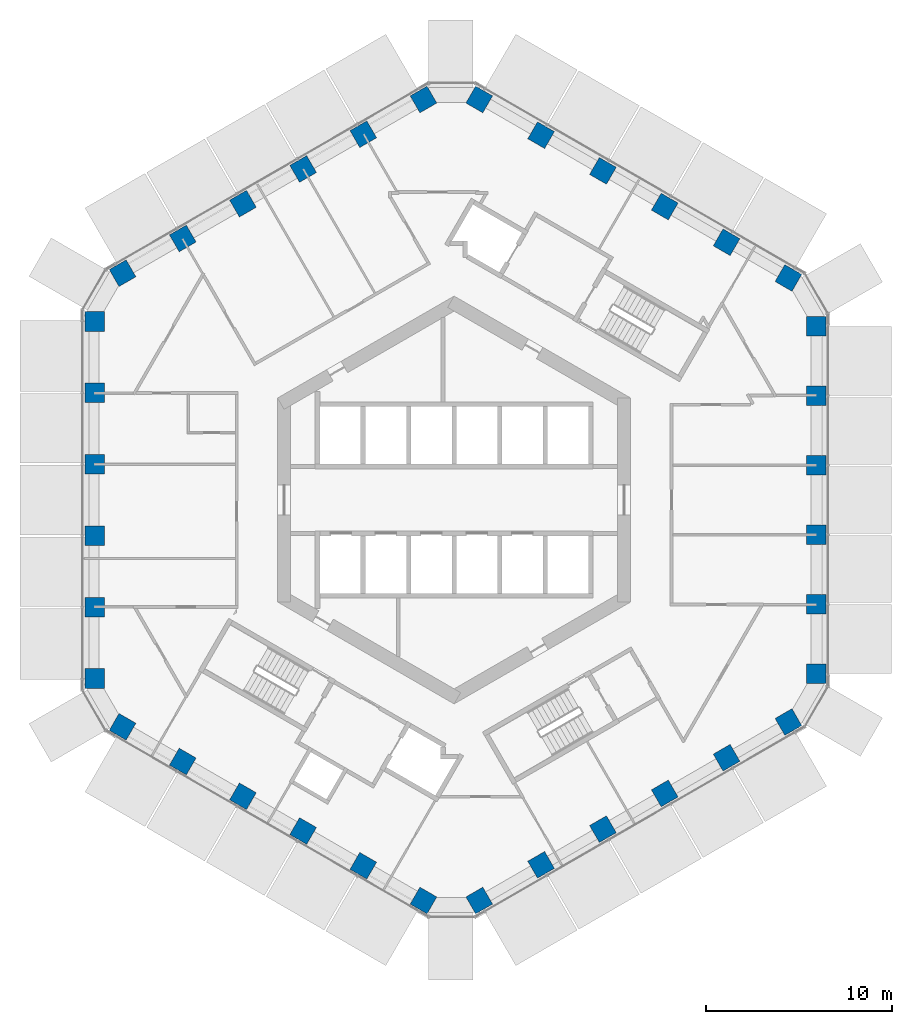
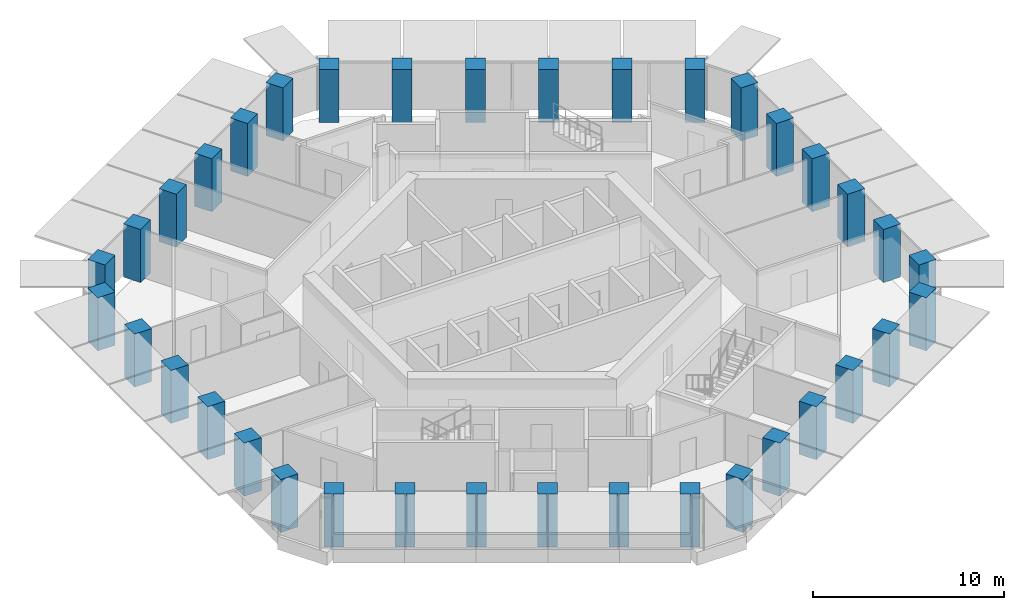
# One storey, part 1 of 18: 36 columns.
"""IFC4 building model written with IfcOpenShell, lengths in metres."""

from ifc_helpers import new_model, si_unit, direction, frame, origin, origin_2d, place, context, subcontext, project, spatial, rectangle, extrude, material, material_profile, profile_set, type_object, element, save


model = new_model("IFC4")

# Units and contexts
model_context = context("Model", 3, precision=1e-05, world=origin(), true_north=direction((0.0, 1.0)))
body_context = subcontext(model_context, "Body", "Model", "MODEL_VIEW")
ifc_project = project(units=[si_unit("LENGTHUNIT", "METRE"), si_unit("AREAUNIT", "SQUARE_METRE"), si_unit("VOLUMEUNIT", "CUBIC_METRE"), si_unit("PLANEANGLEUNIT", "RADIAN"), si_unit("MASSUNIT", "GRAM", prefix="KILO")], contexts=[model_context])

# Site, building, storey
site_placement = place(None, origin())
site = spatial("IfcSite", under=ifc_project, at=site_placement, CompositionType="ELEMENT")
building_placement = place(site_placement, origin())
building = spatial("IfcBuilding", under=site, at=building_placement, Name="Ayvan Gate Tower", CompositionType="ELEMENT")
storey_placement = place(building_placement, frame((0.0, 0.0, 89.89990234375)))
storey = spatial("IfcBuildingStorey", under=building, at=storey_placement, Name="L23", CompositionType="ELEMENT", Elevation=89.89990234375)

# Columns
ifc_material = material(Name="Concrete C60/75", Category="concrete")
ifc_material_profile = material_profile(ifc_material, rectangle(XDim=1.050048828125, YDim=1.050048828125, at=origin_2d()), Name="RC 1050x1050")
ifc_profile_set = profile_set([ifc_material_profile], Name="Concrete C60/75")
column_type = type_object("IfcColumnType", Name="Tube column RC 1050x1050 C60/75", PredefinedType="COLUMN", material=ifc_profile_set)
for number, where, z_axis, x_axis, name in (
    (1, (19.485595703125, -9.3466796875, 0.0), (0.0, 0.0, 1.0), (1.0, 0.0, 0.0), "C-T0-0-L23"),
    (2, (19.485595703125, -5.60791015625, 0.0), (0.0, 0.0, 1.0), (1.0, 0.0, 0.0), "C-T0-1-L23"),
    (3, (19.485595703125, -1.869384765625, 0.0), (0.0, 0.0, 1.0), (1.0, 0.0, 0.0), "C-T0-2-L23"),
    (4, (19.485595703125, 1.869384765625, 0.0), (0.0, 0.0, 1.0), (1.0, 0.0, 0.0), "C-T0-3-L23"),
    (5, (19.485595703125, 5.60791015625, 0.0), (0.0, 0.0, 1.0), (1.0, 0.0, 0.0), "C-T0-4-L23"),
    (6, (19.485595703125, 9.3466796875, 0.0), (0.0, 0.0, 1.0), (1.0, 0.0, 0.0), "C-T0-5-L23"),
    (7, (17.985595703125, 11.94482421875, 0.0), (0.0, 0.0, 1.0), (0.5, 0.866025403784, 0.0), "C-T1-0-L23"),
    (8, (14.65869140625, 13.865478515625, 0.0), (0.0, 0.0, 1.0), (0.5, 0.866025403784, 0.0), "C-T1-1-L23"),
    (9, (11.33203125, 15.7861328125, 0.0), (0.0, 0.0, 1.0), (0.5, 0.866025403784, 0.0), "C-T1-2-L23"),
    (10, (8.005126953125, 17.706787109375, 0.0), (0.0, 0.0, 1.0), (0.5, 0.866025403784, 0.0), "C-T1-3-L23"),
    (11, (4.678466796875, 19.627685546875, 0.0), (0.0, 0.0, 1.0), (0.5, 0.866025403784, 0.0), "C-T1-4-L23"),
    (12, (1.3515625, 21.54833984375, 0.0), (0.0, 0.0, 1.0), (0.5, 0.866025403784, 0.0), "C-T1-5-L23"),
    (13, (-1.6484375, 21.54833984375, 0.0), (0.0, 0.0, 1.0), (-0.5, 0.866025403784, 0.0), "C-T2-0-L23"),
    (14, (-4.88623046875, 19.678955078125, 0.0), (0.0, 0.0, 1.0), (-0.5, 0.866025403784, 0.0), "C-T2-1-L23"),
    (15, (-8.1240234375, 17.8095703125, 0.0), (0.0, 0.0, 1.0), (-0.5, 0.866025403784, 0.0), "C-T2-2-L23"),
    (16, (-11.361572265625, 15.9404296875, 0.0), (0.0, 0.0, 1.0), (-0.5, 0.866025403784, 0.0), "C-T2-3-L23"),
    (17, (-14.599365234375, 14.071044921875, 0.0), (0.0, 0.0, 1.0), (-0.5, 0.866025403784, 0.0), "C-T2-4-L23"),
    (18, (-17.837158203125, 12.20166015625, 0.0), (0.0, 0.0, 1.0), (-0.5, 0.866025403784, 0.0), "C-T2-5-L23"),
    (19, (-19.337158203125, 9.603515625, 0.0), (0.0, 0.0, 1.0), (-1.0, 0.0, 0.0), "C-T3-0-L23"),
    (20, (-19.337158203125, 5.76220703125, 0.0), (0.0, 0.0, 1.0), (-1.0, 0.0, 0.0), "C-T3-1-L23"),
    (21, (-19.337158203125, 1.920654296875, 0.0), (0.0, 0.0, 1.0), (-1.0, 0.0, 0.0), "C-T3-2-L23"),
    (22, (-19.337158203125, -1.920654296875, 0.0), (0.0, 0.0, 1.0), (-1.0, 0.0, 0.0), "C-T3-3-L23"),
    (23, (-19.337158203125, -5.76220703125, 0.0), (0.0, 0.0, 1.0), (-1.0, 0.0, 0.0), "C-T3-4-L23"),
    (24, (-19.337158203125, -9.603515625, 0.0), (0.0, 0.0, 1.0), (-1.0, 0.0, 0.0), "C-T3-5-L23"),
    (25, (-17.837158203125, -12.20166015625, 0.0), (0.0, 0.0, 1.0), (-0.5, -0.866025403784, 0.0), "C-T4-0-L23"),
    (26, (-14.599365234375, -14.071044921875, 0.0), (0.0, 0.0, 1.0), (-0.5, -0.866025403784, 0.0), "C-T4-1-L23"),
    (27, (-11.361572265625, -15.9404296875, 0.0), (0.0, 0.0, 1.0), (-0.5, -0.866025403784, 0.0), "C-T4-2-L23"),
    (28, (-8.1240234375, -17.8095703125, 0.0), (0.0, 0.0, 1.0), (-0.5, -0.866025403784, 0.0), "C-T4-3-L23"),
    (29, (-4.88623046875, -19.678955078125, 0.0), (0.0, 0.0, 1.0), (-0.5, -0.866025403784, 0.0), "C-T4-4-L23"),
    (30, (-1.6484375, -21.54833984375, 0.0), (0.0, 0.0, 1.0), (-0.5, -0.866025403784, 0.0), "C-T4-5-L23"),
    (31, (1.3515625, -21.54833984375, 0.0), (0.0, 0.0, 1.0), (0.5, -0.866025403784, 0.0), "C-T5-0-L23"),
    (32, (4.678466796875, -19.627685546875, 0.0), (0.0, 0.0, 1.0), (0.5, -0.866025403784, 0.0), "C-T5-1-L23"),
    (33, (8.005126953125, -17.706787109375, 0.0), (0.0, 0.0, 1.0), (0.5, -0.866025403784, 0.0), "C-T5-2-L23"),
    (34, (11.33203125, -15.7861328125, 0.0), (0.0, 0.0, 1.0), (0.5, -0.866025403784, 0.0), "C-T5-3-L23"),
    (35, (14.65869140625, -13.865478515625, 0.0), (0.0, 0.0, 1.0), (0.5, -0.866025403784, 0.0), "C-T5-4-L23"),
    (36, (17.985595703125, -11.94482421875, 0.0), (0.0, 0.0, 1.0), (0.5, -0.866025403784, 0.0), "C-T5-5-L23"),
):
    element("IfcColumn", number, at=place(storey_placement, frame(where, z_axis=z_axis, x_axis=x_axis)), inside=storey, type_object=column_type, Name=name, PredefinedType="COLUMN", context=body_context, shape_type="SweptSolid", body=[
        extrude(rectangle(XDim=1.050048828125, YDim=1.050048828125, at=origin_2d()), origin(), (0.0, 0.0, 1.0), 3.400146484375),
    ])

save(model, "model.ifc")
